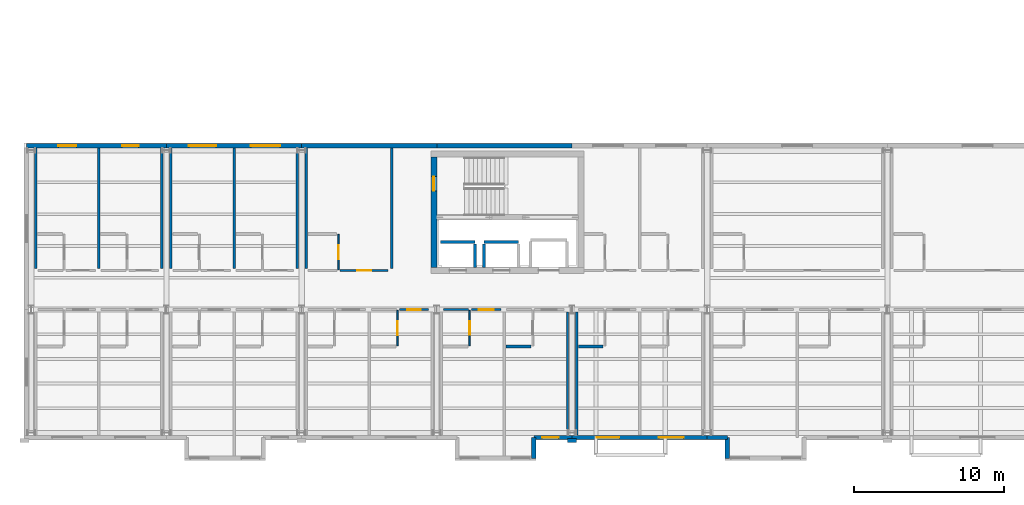
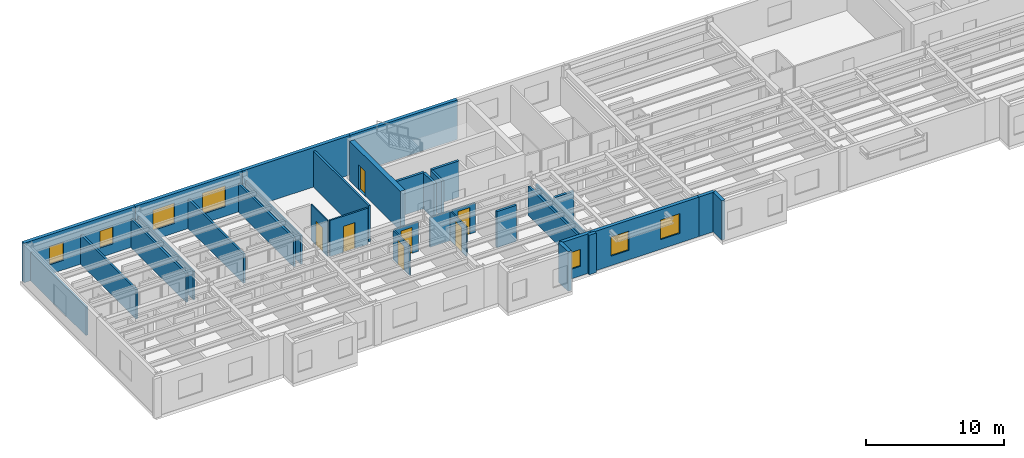
# One storey, part 9 of 17: 34 walls, 7 doors, 7 windows, 14 openings.
"""IFC4 building model written with IfcOpenShell, lengths in metres."""

from ifc_helpers import new_model, si_unit, direction, frame, frame_2d, origin, place, context, subcontext, project, spatial, rectangle, extrude, material, layer, layer_set, type_object, element, fill, save


model = new_model("IFC4")

# Units and contexts
model_context = context("Model", 3, precision=1e-05, world=origin(), true_north=direction((0.0, 1.0)))
body_context = subcontext(model_context, "Body", "Model", "MODEL_VIEW")
ifc_project = project(units=[si_unit("LENGTHUNIT", "METRE"), si_unit("AREAUNIT", "SQUARE_METRE"), si_unit("VOLUMEUNIT", "CUBIC_METRE"), si_unit("PLANEANGLEUNIT", "RADIAN"), si_unit("MASSUNIT", "GRAM", prefix="KILO")], contexts=[model_context])

# Site, building, storey
site_placement = place(None, origin())
site = spatial("IfcSite", under=ifc_project, at=site_placement, CompositionType="ELEMENT")
building_placement = place(site_placement, origin())
building = spatial("IfcBuilding", under=site, at=building_placement, Name="Sollismere Congress Hotel", CompositionType="ELEMENT")
storey_placement = place(building_placement, frame((0.0, 0.0, 37.60009765625)))
storey = spatial("IfcBuildingStorey", under=building, at=storey_placement, Name="L09", CompositionType="ELEMENT", Elevation=37.60009765625)

# Wall, opening, window
ifc_material_1 = material(Name="Colorado Buff Sandstone Rainscreen on Insulated Backup", Category="masonry")
ifc_layer_1 = layer(ifc_material_1, 0.284912109375, Name="Colorado Buff Sandstone Rainscreen on Insulated Backup")
ifc_layer_set_1 = layer_set([ifc_layer_1], Name="Colorado Buff Sandstone Rainscreen on Insulated Backup")
wall_type_1 = type_object("IfcWallType", Name="WL-EXT285", PredefinedType="STANDARD", material=ifc_layer_set_1)
wall_1_placement = place(storey_placement, frame((100.4599609375, -0.31005859375, 0.0), z_axis=(0.0, 0.0, 1.0), x_axis=(1.0, 0.0, 0.0)))
wall_1 = element("IfcWall", 1, at=wall_1_placement, inside=storey, type_object=wall_type_1, Name="Exterior wall EW-L09-886", PredefinedType="STANDARD", context=body_context, shape_type="SweptSolid", body=[
    extrude(rectangle(XDim=2.5400390625, YDim=0.284912109375, at=frame_2d((1.27001953125, 0.0))), origin(), (0.0, 0.0, 1.0), 3.5),
])
opening_1_placement = place(wall_1_placement, frame((0.544921875, 0.0, 0.85009765625)))
opening_1 = element("IfcOpeningElement", 2, at=opening_1_placement, cuts=wall_1, Name="Opening W-L09-638", PredefinedType="OPENING", context=body_context, shape_type="SweptSolid", body=[
    extrude(rectangle(XDim=1.10009765625, YDim=1.5, at=frame_2d((0.550048828125, 0.75))), frame((0.0, 0.15234375, 0.0), z_axis=(0.0, -1.0, 0.0), x_axis=(1.0, 0.0, 0.0)), (0.0, 0.0, 1.0), 0.304931640625),
])
ifc_material_2 = material(Name="Thermally Broken Bronze Aluminum & Low-E Glass", Category="aluminium")
window_type_1 = type_object("IfcWindowType", Name="WN-P110x150", PartitioningType="SINGLE_PANEL", PredefinedType="WINDOW", material=ifc_material_2)
window_1_placement = place(opening_1_placement, origin())
window_1 = element("IfcWindow", 3, at=window_1_placement, inside=storey, type_object=window_type_1, Name="WIN-W-L09-638", OverallHeight=1.5, OverallWidth=1.10009765625, PartitioningType="SINGLE_PANEL", PredefinedType="WINDOW", context=body_context, shape_type="SweptSolid", body=[
    extrude(rectangle(XDim=1.10009765625, YDim=1.5, at=frame_2d((0.550048828125, 0.75))), frame((0.0, 0.030029296875, 0.0), z_axis=(0.0, -1.0, 0.0), x_axis=(1.0, 0.0, 0.0)), (0.0, 0.0, 1.0), 0.06005859375),
])
fill(opening_1, window_1)

# Wall
wall_2_placement = place(storey_placement, frame((100.4599609375, -1.699951171875, 0.0), z_axis=(0.0, 0.0, 1.0), x_axis=(0.0, 1.0, 0.0)))
element("IfcWall", 4, at=wall_2_placement, inside=storey, type_object=wall_type_1, Name="Exterior wall EW-L09-889", PredefinedType="STANDARD", context=body_context, shape_type="SweptSolid", body=[
    extrude(rectangle(XDim=1.389892578125, YDim=0.284912109375, at=frame_2d((0.69482421875, 0.0))), origin(), (0.0, 0.0, 1.0), 3.5),
])

# Wall, openings, windows
wall_3_placement = place(storey_placement, frame((103.0, -0.31005859375, 0.0), z_axis=(0.0, 0.0, 1.0), x_axis=(1.0, 0.0, 0.0)))
wall_3 = element("IfcWall", 5, at=wall_3_placement, inside=storey, type_object=wall_type_1, Name="Exterior wall EW-L09-890", PredefinedType="STANDARD", context=body_context, shape_type="SweptSolid", body=[
    extrude(rectangle(XDim=9.0, YDim=0.284912109375, at=frame_2d((4.5, 0.0))), origin(), (0.0, 0.0, 1.0), 3.5),
])
opening_2_placement = place(wall_3_placement, frame((1.64990234375, 0.0, 0.85009765625)))
opening_2 = element("IfcOpeningElement", 6, at=opening_2_placement, cuts=wall_3, Name="Opening W-L09-641", PredefinedType="OPENING", context=body_context, shape_type="SweptSolid", body=[
    extrude(rectangle(XDim=1.5, YDim=1.699951171875, at=frame_2d((0.75, 0.85009765625))), frame((0.0, 0.15234375, 0.0), z_axis=(0.0, -1.0, 0.0), x_axis=(1.0, 0.0, 0.0)), (0.0, 0.0, 1.0), 0.304931640625),
])
opening_3_placement = place(wall_3_placement, frame((5.77490234375, 0.0, 0.85009765625)))
opening_3 = element("IfcOpeningElement", 7, at=opening_3_placement, cuts=wall_3, Name="Opening W-L09-642", PredefinedType="OPENING", context=body_context, shape_type="SweptSolid", body=[
    extrude(rectangle(XDim=1.64990234375, YDim=1.75, at=frame_2d((0.824951171875, 0.875))), frame((0.0, 0.15234375, 0.0), z_axis=(0.0, -1.0, 0.0), x_axis=(1.0, 0.0, 0.0)), (0.0, 0.0, 1.0), 0.304931640625),
])
window_type_2 = type_object("IfcWindowType", Name="WN-P150x170", PartitioningType="SINGLE_PANEL", PredefinedType="WINDOW", material=ifc_material_2)
window_2_placement = place(opening_2_placement, origin())
window_2 = element("IfcWindow", 8, at=window_2_placement, inside=storey, type_object=window_type_2, Name="WIN-W-L09-641", OverallHeight=1.699951171875, OverallWidth=1.5, PartitioningType="SINGLE_PANEL", PredefinedType="WINDOW", context=body_context, shape_type="SweptSolid", body=[
    extrude(rectangle(XDim=1.5, YDim=1.699951171875, at=frame_2d((0.75, 0.85009765625))), frame((0.0, 0.030029296875, 0.0), z_axis=(0.0, -1.0, 0.0), x_axis=(1.0, 0.0, 0.0)), (0.0, 0.0, 1.0), 0.06005859375),
])
fill(opening_2, window_2)
window_type_3 = type_object("IfcWindowType", Name="WN-P165x175", PartitioningType="SINGLE_PANEL", PredefinedType="WINDOW", material=ifc_material_2)
window_3_placement = place(opening_3_placement, origin())
window_3 = element("IfcWindow", 9, at=window_3_placement, inside=storey, type_object=window_type_3, Name="WIN-W-L09-642", OverallHeight=1.75, OverallWidth=1.64990234375, PartitioningType="SINGLE_PANEL", PredefinedType="WINDOW", context=body_context, shape_type="SweptSolid", body=[
    extrude(rectangle(XDim=1.64990234375, YDim=1.75, at=frame_2d((0.824951171875, 0.875))), frame((0.0, 0.030029296875, 0.0), z_axis=(0.0, -1.0, 0.0), x_axis=(1.0, 0.0, 0.0)), (0.0, 0.0, 1.0), 0.06005859375),
])
fill(opening_3, window_3)

# Walls
wall_4_placement = place(storey_placement, frame((112.0, -0.31005859375, 0.0), z_axis=(0.0, 0.0, 1.0), x_axis=(1.0, 0.0, 0.0)))
element("IfcWall", 10, at=wall_4_placement, inside=storey, type_object=wall_type_1, Name="Exterior wall EW-L09-892", PredefinedType="STANDARD", context=body_context, shape_type="SweptSolid", body=[
    extrude(rectangle(XDim=1.340087890625, YDim=0.284912109375, at=frame_2d((0.669921875, 0.0))), origin(), (0.0, 0.0, 1.0), 3.5),
])
wall_5_placement = place(storey_placement, frame((113.340087890625, -0.31005859375, 0.0), z_axis=(0.0, 0.0, 1.0), x_axis=(0.0, -1.0, 0.0)))
element("IfcWall", 11, at=wall_5_placement, inside=storey, type_object=wall_type_1, Name="Exterior wall EW-L09-895", PredefinedType="STANDARD", context=body_context, shape_type="SweptSolid", body=[
    extrude(rectangle(XDim=1.389892578125, YDim=0.284912109375, at=frame_2d((0.69482421875, 0.0))), origin(), (0.0, 0.0, 1.0), 3.5),
])

# Wall, openings, windows
wall_6_placement = place(storey_placement, frame((76.0, 19.110107421875, 0.0), z_axis=(0.0, 0.0, 1.0), x_axis=(-1.0, 0.0, 0.0)))
wall_6 = element("IfcWall", 12, at=wall_6_placement, inside=storey, type_object=wall_type_1, Name="Exterior wall EW-L09-926", PredefinedType="STANDARD", context=body_context, shape_type="SweptSolid", body=[
    extrude(rectangle(XDim=9.31005859375, YDim=0.284912109375, at=frame_2d((4.655029296875, 0.0))), origin(), (0.0, 0.0, 1.0), 3.5),
])
opening_4_placement = place(wall_6_placement, frame((6.0, 0.0, 0.85009765625)))
opening_4 = element("IfcOpeningElement", 13, at=opening_4_placement, cuts=wall_6, Name="Opening W-L09-660", PredefinedType="OPENING", context=body_context, shape_type="SweptSolid", body=[
    extrude(rectangle(XDim=1.199951171875, YDim=1.60009765625, at=frame_2d((0.60009765625, 0.800048828125))), frame((0.0, 0.15234375, 0.0), z_axis=(0.0, -1.0, 0.0), x_axis=(1.0, 0.0, 0.0)), (0.0, 0.0, 1.0), 0.304931640625),
])
opening_5_placement = place(wall_6_placement, frame((1.85009765625, 0.0, 0.85009765625)))
opening_5 = element("IfcOpeningElement", 14, at=opening_5_placement, cuts=wall_6, Name="Opening W-L09-661", PredefinedType="OPENING", context=body_context, shape_type="SweptSolid", body=[
    extrude(rectangle(XDim=1.10009765625, YDim=1.5, at=frame_2d((0.550048828125, 0.75))), frame((0.0, 0.15234375, 0.0), z_axis=(0.0, -1.0, 0.0), x_axis=(1.0, 0.0, 0.0)), (0.0, 0.0, 1.0), 0.304931640625),
])
window_4_placement = place(opening_5_placement, origin())
window_4 = element("IfcWindow", 15, at=window_4_placement, inside=storey, type_object=window_type_1, Name="WIN-W-L09-661", OverallHeight=1.5, OverallWidth=1.10009765625, PartitioningType="SINGLE_PANEL", PredefinedType="WINDOW", context=body_context, shape_type="SweptSolid", body=[
    extrude(rectangle(XDim=1.10009765625, YDim=1.5, at=frame_2d((0.550048828125, 0.75))), frame((0.0, 0.030029296875, 0.0), z_axis=(0.0, -1.0, 0.0), x_axis=(1.0, 0.0, 0.0)), (0.0, 0.0, 1.0), 0.06005859375),
])
fill(opening_5, window_4)
window_type_4 = type_object("IfcWindowType", Name="WN-P120x160", PartitioningType="SINGLE_PANEL", PredefinedType="WINDOW", material=ifc_material_2)
window_5_placement = place(opening_4_placement, origin())
window_5 = element("IfcWindow", 16, at=window_5_placement, inside=storey, type_object=window_type_4, Name="WIN-W-L09-660", OverallHeight=1.60009765625, OverallWidth=1.199951171875, PartitioningType="SINGLE_PANEL", PredefinedType="WINDOW", context=body_context, shape_type="SweptSolid", body=[
    extrude(rectangle(XDim=1.199951171875, YDim=1.60009765625, at=frame_2d((0.60009765625, 0.800048828125))), frame((0.0, 0.030029296875, 0.0), z_axis=(0.0, -1.0, 0.0), x_axis=(1.0, 0.0, 0.0)), (0.0, 0.0, 1.0), 0.06005859375),
])
fill(opening_4, window_5)

wall_7_placement = place(storey_placement, frame((85.0, 19.110107421875, 0.0), z_axis=(0.0, 0.0, 1.0), x_axis=(-1.0, 0.0, 0.0)))
wall_7 = element("IfcWall", 17, at=wall_7_placement, inside=storey, type_object=wall_type_1, Name="Exterior wall EW-L09-927", PredefinedType="STANDARD", context=body_context, shape_type="SweptSolid", body=[
    extrude(rectangle(XDim=9.0, YDim=0.284912109375, at=frame_2d((4.5, 0.0))), origin(), (0.0, 0.0, 1.0), 3.5),
])
opening_6_placement = place(wall_7_placement, frame((5.699951171875, 0.0, 0.85009765625)))
opening_6 = element("IfcOpeningElement", 18, at=opening_6_placement, cuts=wall_7, Name="Opening W-L09-662", PredefinedType="OPENING", context=body_context, shape_type="SweptSolid", body=[
    extrude(rectangle(XDim=1.800048828125, YDim=1.800048828125, at=frame_2d((0.89990234375, 0.89990234375))), frame((0.0, 0.15234375, 0.0), z_axis=(0.0, -1.0, 0.0), x_axis=(1.0, 0.0, 0.0)), (0.0, 0.0, 1.0), 0.304931640625),
])
opening_7_placement = place(wall_7_placement, frame((1.425048828125, 0.0, 0.85009765625)))
opening_7 = element("IfcOpeningElement", 19, at=opening_7_placement, cuts=wall_7, Name="Opening W-L09-663", PredefinedType="OPENING", context=body_context, shape_type="SweptSolid", body=[
    extrude(rectangle(XDim=1.949951171875, YDim=1.85009765625, at=frame_2d((0.97509765625, 0.925048828125))), frame((0.0, 0.15234375, 0.0), z_axis=(0.0, -1.0, 0.0), x_axis=(1.0, 0.0, 0.0)), (0.0, 0.0, 1.0), 0.304931640625),
])
window_type_5 = type_object("IfcWindowType", Name="WN-P180x180", PartitioningType="SINGLE_PANEL", PredefinedType="WINDOW", material=ifc_material_2)
window_6_placement = place(opening_6_placement, origin())
window_6 = element("IfcWindow", 20, at=window_6_placement, inside=storey, type_object=window_type_5, Name="WIN-W-L09-662", OverallHeight=1.800048828125, OverallWidth=1.800048828125, PartitioningType="SINGLE_PANEL", PredefinedType="WINDOW", context=body_context, shape_type="SweptSolid", body=[
    extrude(rectangle(XDim=1.800048828125, YDim=1.800048828125, at=frame_2d((0.89990234375, 0.89990234375))), frame((0.0, 0.030029296875, 0.0), z_axis=(0.0, -1.0, 0.0), x_axis=(1.0, 0.0, 0.0)), (0.0, 0.0, 1.0), 0.06005859375),
])
fill(opening_6, window_6)
window_type_6 = type_object("IfcWindowType", Name="WN-P195x185", PartitioningType="SINGLE_PANEL", PredefinedType="WINDOW", material=ifc_material_2)
window_7_placement = place(opening_7_placement, origin())
window_7 = element("IfcWindow", 21, at=window_7_placement, inside=storey, type_object=window_type_6, Name="WIN-W-L09-663", OverallHeight=1.85009765625, OverallWidth=1.949951171875, PartitioningType="SINGLE_PANEL", PredefinedType="WINDOW", context=body_context, shape_type="SweptSolid", body=[
    extrude(rectangle(XDim=1.949951171875, YDim=1.85009765625, at=frame_2d((0.97509765625, 0.925048828125))), frame((0.0, 0.030029296875, 0.0), z_axis=(0.0, -1.0, 0.0), x_axis=(1.0, 0.0, 0.0)), (0.0, 0.0, 1.0), 0.06005859375),
])
fill(opening_7, window_7)

# Walls
for number, where, z_axis, x_axis, name in (
    (22, (94.0, 19.110107421875, 0.0), (0.0, 0.0, 1.0), (-1.0, 0.0, 0.0), "Exterior wall EW-L09-928"),
    (23, (103.0, 19.110107421875, 0.0), (0.0, 0.0, 1.0), (-1.0, 0.0, 0.0), "Exterior wall EW-L09-929"),
):
    element("IfcWall", number, at=place(storey_placement, frame(where, z_axis=z_axis, x_axis=x_axis)), inside=storey, type_object=wall_type_1, Name=name, PredefinedType="STANDARD", context=body_context, shape_type="SweptSolid", body=[
        extrude(rectangle(XDim=9.0, YDim=0.284912109375, at=frame_2d((4.5, 0.0))), origin(), (0.0, 0.0, 1.0), 3.5),
    ])
ifc_material_3 = material(Name="Carved Travertine Pilaster & Frieze Assembly", Category="masonry")
ifc_layer_2 = layer(ifc_material_3, 0.260009765625, Name="Carved Travertine Pilaster & Frieze Assembly")
ifc_layer_set_2 = layer_set([ifc_layer_2], Name="Carved Travertine Pilaster & Frieze Assembly")
wall_type_2 = type_object("IfcWallType", Name="WL-PIL280", PredefinedType="ELEMENTEDWALL", material=ifc_layer_set_2)
wall_8_placement = place(storey_placement, frame((102.699951171875, -0.52001953125, 0.0), z_axis=(0.0, 0.0, 1.0), x_axis=(1.0, 0.0, 0.0)))
element("IfcWall", 24, at=wall_8_placement, inside=storey, type_object=wall_type_2, Name="Exterior wall EW-L09-891", PredefinedType="ELEMENTEDWALL", context=body_context, shape_type="SweptSolid", body=[
    extrude(rectangle(XDim=0.60009765625, YDim=0.260009765625, at=frame_2d((0.300048828125, 0.0))), origin(), (0.0, 0.0, 1.0), 3.5),
])
ifc_material_4 = material(Name="Moisture-Resistant Shaft Gypsum Assembly")
ifc_layer_3 = layer(ifc_material_4, 0.199951171875, Name="Moisture-Resistant Shaft Gypsum Assembly")
ifc_layer_set_3 = layer_set([ifc_layer_3], Name="Moisture-Resistant Shaft Gypsum Assembly")
wall_type_3 = type_object("IfcWallType", Name="WL-PLM200", PredefinedType="PLUMBINGWALL", material=ifc_layer_set_3)
wall_9_placement = place(storey_placement, frame((94.2548828125, 12.68994140625, 0.0), z_axis=(0.0, 0.0, 1.0), x_axis=(1.0, 0.0, 0.0)))
element("IfcWall", 25, at=wall_9_placement, inside=storey, type_object=wall_type_3, Name="Interior wall IW-L09-0344", PredefinedType="PLUMBINGWALL", context=body_context, shape_type="SweptSolid", body=[
    extrude(rectangle(XDim=2.2900390625, YDim=0.199951171875, at=frame_2d((1.14501953125, 0.0))), origin(), (0.0, 0.0, 1.0), 3.199951171875),
])
wall_10_placement = place(storey_placement, frame((96.544921875, 11.011962890625, 0.0), z_axis=(0.0, 0.0, 1.0), x_axis=(0.0, 1.0, 0.0)))
element("IfcWall", 26, at=wall_10_placement, inside=storey, type_object=wall_type_3, Name="Interior wall IW-L09-0345", PredefinedType="PLUMBINGWALL", context=body_context, shape_type="SweptSolid", body=[
    extrude(rectangle(XDim=1.56591796875, YDim=0.199951171875, at=frame_2d((0.782958984375, 0.0))), origin(), (0.0, 0.0, 1.0), 3.199951171875),
])
wall_11_placement = place(storey_placement, frame((97.155029296875, 12.68994140625, 0.0), z_axis=(0.0, 0.0, 1.0), x_axis=(1.0, 0.0, 0.0)))
element("IfcWall", 27, at=wall_11_placement, inside=storey, type_object=wall_type_3, Name="Interior wall IW-L09-0346", PredefinedType="PLUMBINGWALL", context=body_context, shape_type="SweptSolid", body=[
    extrude(rectangle(XDim=2.2900390625, YDim=0.199951171875, at=frame_2d((1.14501953125, 0.0))), origin(), (0.0, 0.0, 1.0), 3.199951171875),
])
wall_12_placement = place(storey_placement, frame((97.155029296875, 11.011962890625, 0.0), z_axis=(0.0, 0.0, 1.0), x_axis=(0.0, 1.0, 0.0)))
element("IfcWall", 28, at=wall_12_placement, inside=storey, type_object=wall_type_3, Name="Interior wall IW-L09-0347", PredefinedType="PLUMBINGWALL", context=body_context, shape_type="SweptSolid", body=[
    extrude(rectangle(XDim=1.56591796875, YDim=0.199951171875, at=frame_2d((0.782958984375, 0.0))), origin(), (0.0, 0.0, 1.0), 3.199951171875),
])
wall_13_placement = place(storey_placement, frame((98.6201171875, 5.75, 0.0), z_axis=(0.0, 0.0, 1.0), x_axis=(1.0, 0.0, 0.0)))
element("IfcWall", 29, at=wall_13_placement, inside=storey, type_object=wall_type_3, Name="Interior wall IW-L09-2631", PredefinedType="PLUMBINGWALL", context=body_context, shape_type="SweptSolid", body=[
    extrude(rectangle(XDim=1.64990234375, YDim=0.199951171875, at=frame_2d((0.824951171875, 0.0))), origin(), (0.0, 0.0, 1.0), 3.199951171875),
])
wall_14_placement = place(storey_placement, frame((103.419921875, 5.75, 0.0), z_axis=(0.0, 0.0, 1.0), x_axis=(1.0, 0.0, 0.0)))
element("IfcWall", 30, at=wall_14_placement, inside=storey, type_object=wall_type_3, Name="Interior wall IW-L09-2637", PredefinedType="PLUMBINGWALL", context=body_context, shape_type="SweptSolid", body=[
    extrude(rectangle(XDim=1.650146484375, YDim=0.199951171875, at=frame_2d((0.8251953125, 0.0))), origin(), (0.0, 0.0, 1.0), 2.7529296875),
])

# Wall, opening, door
ifc_material_5 = material(Name="Moisture-Resistant Gypsum Partition")
ifc_layer_4 = layer(ifc_material_5, 0.10009765625, Name="Moisture-Resistant Gypsum Partition")
ifc_layer_set_4 = layer_set([ifc_layer_4], Name="Moisture-Resistant Gypsum Partition")
wall_type_4 = type_object("IfcWallType", Name="WL-PRT100", PredefinedType="PARTITIONING", material=ifc_layer_set_4)
wall_15_placement = place(storey_placement, frame((91.389892578125, 5.7900390625, 0.0), z_axis=(0.0, 0.0, 1.0), x_axis=(0.0, 1.0, 0.0)))
wall_15 = element("IfcWall", 31, at=wall_15_placement, inside=storey, type_object=wall_type_4, Name="Interior wall IW-L09-2613", PredefinedType="PARTITIONING", context=body_context, shape_type="SweptSolid", body=[
    extrude(rectangle(XDim=2.369873046875, YDim=0.10009765625, at=frame_2d((1.18505859375, 0.0))), origin(), (0.0, 0.0, 1.0), 2.61279296875),
])
opening_8_placement = place(wall_15_placement, frame((0.719970703125, 0.0, 0.0)))
opening_8 = element("IfcOpeningElement", 32, at=opening_8_placement, cuts=wall_15, Name="Opening D-L09-0923", PredefinedType="OPENING", context=body_context, shape_type="SweptSolid", body=[
    extrude(rectangle(XDim=0.929931640625, YDim=2.139892578125, at=frame_2d((0.46484375, 1.06982421875))), frame((0.0, 0.06005859375, 0.0), z_axis=(0.0, -1.0, 0.0), x_axis=(1.0, 0.0, 0.0)), (0.0, 0.0, 1.0), 0.1201171875),
])
ifc_material_6 = material(Name="Moisture-Sealed Timber Bathroom Door", Category="wood")
door_type_1 = type_object("IfcDoorType", Name="DR-BT03", OperationType="NOTDEFINED", PredefinedType="DOOR", material=ifc_material_6)
door_1_placement = place(opening_8_placement, origin())
door_1 = element("IfcDoor", 33, at=door_1_placement, inside=storey, type_object=door_type_1, Name="En-suite bathroom door D-L09-0923", OperationType="SINGLE_SWING_RIGHT", OverallHeight=2.139892578125, OverallWidth=0.929931640625, PredefinedType="DOOR", context=body_context, shape_type="SweptSolid", body=[
    extrude(rectangle(XDim=0.929931640625, YDim=2.139892578125, at=frame_2d((0.46484375, 1.06982421875))), frame((0.0, 0.02490234375, 0.0), z_axis=(0.0, -1.0, 0.0), x_axis=(1.0, 0.0, 0.0)), (0.0, 0.0, 1.0), 0.050048828125),
])
fill(opening_8, door_1)

wall_16_placement = place(storey_placement, frame((87.449951171875, 10.840087890625, 0.0), z_axis=(0.0, 0.0, 1.0), x_axis=(0.0, 1.0, 0.0)))
wall_16 = element("IfcWall", 34, at=wall_16_placement, inside=storey, type_object=wall_type_4, Name="Interior wall IW-L09-2619", PredefinedType="PARTITIONING", context=body_context, shape_type="SweptSolid", body=[
    extrude(rectangle(XDim=2.369873046875, YDim=0.10009765625, at=frame_2d((1.18505859375, 0.0))), origin(), (0.0, 0.0, 1.0), 3.199951171875),
])
opening_9_placement = place(wall_16_placement, frame((0.7080078125, 0.0, 0.0)))
opening_9 = element("IfcOpeningElement", 35, at=opening_9_placement, cuts=wall_16, Name="Opening D-L09-0925", PredefinedType="OPENING", context=body_context, shape_type="SweptSolid", body=[
    extrude(rectangle(XDim=0.955078125, YDim=2.139892578125, at=frame_2d((0.4775390625, 1.06982421875))), frame((0.0, 0.06005859375, 0.0), z_axis=(0.0, -1.0, 0.0), x_axis=(1.0, 0.0, 0.0)), (0.0, 0.0, 1.0), 0.1201171875),
])
door_type_2 = type_object("IfcDoorType", Name="DR-BT04", OperationType="NOTDEFINED", PredefinedType="DOOR", material=ifc_material_6)
door_2_placement = place(opening_9_placement, origin())
door_2 = element("IfcDoor", 36, at=door_2_placement, inside=storey, type_object=door_type_2, Name="En-suite bathroom door D-L09-0925", OperationType="SINGLE_SWING_RIGHT", OverallHeight=2.139892578125, OverallWidth=0.955078125, PredefinedType="DOOR", context=body_context, shape_type="SweptSolid", body=[
    extrude(rectangle(XDim=0.955078125, YDim=2.139892578125, at=frame_2d((0.4775390625, 1.06982421875))), frame((0.0, 0.02490234375, 0.0), z_axis=(0.0, -1.0, 0.0), x_axis=(1.0, 0.0, 0.0)), (0.0, 0.0, 1.0), 0.050048828125),
])
fill(opening_9, door_2)

wall_17_placement = place(storey_placement, frame((96.18994140625, 5.7900390625, 0.0), z_axis=(0.0, 0.0, 1.0), x_axis=(0.0, 1.0, 0.0)))
wall_17 = element("IfcWall", 37, at=wall_17_placement, inside=storey, type_object=wall_type_4, Name="Interior wall IW-L09-2625", PredefinedType="PARTITIONING", context=body_context, shape_type="SweptSolid", body=[
    extrude(rectangle(XDim=2.369873046875, YDim=0.10009765625, at=frame_2d((1.18505859375, 0.0))), origin(), (0.0, 0.0, 1.0), 2.61279296875),
])
opening_10_placement = place(wall_17_placement, frame((0.7451171875, 0.0, 0.0)))
opening_10 = element("IfcOpeningElement", 38, at=opening_10_placement, cuts=wall_17, Name="Opening D-L09-0927", PredefinedType="OPENING", context=body_context, shape_type="SweptSolid", body=[
    extrude(rectangle(XDim=0.8798828125, YDim=2.179931640625, at=frame_2d((0.43994140625, 1.08984375))), frame((0.0, 0.06005859375, 0.0), z_axis=(0.0, -1.0, 0.0), x_axis=(1.0, 0.0, 0.0)), (0.0, 0.0, 1.0), 0.1201171875),
])
door_type_3 = type_object("IfcDoorType", Name="DR-BT05", OperationType="NOTDEFINED", PredefinedType="DOOR", material=ifc_material_6)
door_3_placement = place(opening_10_placement, origin())
door_3 = element("IfcDoor", 39, at=door_3_placement, inside=storey, type_object=door_type_3, Name="En-suite bathroom door D-L09-0927", OperationType="SINGLE_SWING_RIGHT", OverallHeight=2.179931640625, OverallWidth=0.8798828125, PredefinedType="DOOR", context=body_context, shape_type="SweptSolid", body=[
    extrude(rectangle(XDim=0.8798828125, YDim=2.179931640625, at=frame_2d((0.43994140625, 1.08984375))), frame((0.0, 0.02490234375, 0.0), z_axis=(0.0, -1.0, 0.0), x_axis=(1.0, 0.0, 0.0)), (0.0, 0.0, 1.0), 0.050048828125),
])
fill(opening_10, door_3)

ifc_material_7 = material(Name="Fire-Rated Gypsum Partition")
ifc_layer_5 = layer(ifc_material_7, 0.139892578125, Name="Fire-Rated Gypsum Partition")
ifc_layer_set_5 = layer_set([ifc_layer_5], Name="Fire-Rated Gypsum Partition")
wall_type_5 = type_object("IfcWallType", Name="WL-PRT140R", PredefinedType="PARTITIONING", material=ifc_layer_set_5)
wall_18_placement = place(storey_placement, frame((91.510009765625, 8.199951171875, 0.0), z_axis=(0.0, 0.0, 1.0), x_axis=(1.0, 0.0, 0.0)))
wall_18 = element("IfcWall", 40, at=wall_18_placement, inside=storey, type_object=wall_type_5, Name="Interior wall IW-L09-2611", PredefinedType="PARTITIONING", context=body_context, shape_type="SweptSolid", body=[
    extrude(rectangle(XDim=1.949951171875, YDim=0.139892578125, at=frame_2d((0.97509765625, 0.0))), origin(), (0.0, 0.0, 1.0), 2.61279296875),
])
opening_11_placement = place(wall_18_placement, frame((0.514892578125, 0.0, 0.0)))
opening_11 = element("IfcOpeningElement", 41, at=opening_11_placement, cuts=wall_18, Name="Opening D-L09-0922", PredefinedType="OPENING", context=body_context, shape_type="SweptSolid", body=[
    extrude(rectangle(XDim=0.919921875, YDim=2.300048828125, at=frame_2d((0.4599609375, 1.14990234375))), frame((0.0, 0.079833984375, 0.0), z_axis=(0.0, -1.0, 0.0), x_axis=(1.0, 0.0, 0.0)), (0.0, 0.0, 1.0), 0.159912109375),
])
ifc_material_8 = material(Name="Solid-Core Acoustic Walnut Guestroom Entry Door")
door_type_4 = type_object("IfcDoorType", Name="DR-KY07", OperationType="NOTDEFINED", PredefinedType="DOOR", material=ifc_material_8)
door_4_placement = place(opening_11_placement, origin())
door_4 = element("IfcDoor", 42, at=door_4_placement, inside=storey, type_object=door_type_4, Name="Hotel room entry door D-L09-0922", OperationType="SINGLE_SWING_LEFT", OverallHeight=2.300048828125, OverallWidth=0.919921875, PredefinedType="DOOR", context=body_context, shape_type="SweptSolid", body=[
    extrude(rectangle(XDim=0.919921875, YDim=2.300048828125, at=frame_2d((0.4599609375, 1.14990234375))), frame((0.0, 0.02490234375, 0.0), z_axis=(0.0, -1.0, 0.0), x_axis=(1.0, 0.0, 0.0)), (0.0, 0.0, 1.0), 0.050048828125),
])
fill(opening_11, door_4)

wall_19_placement = place(storey_placement, frame((87.570068359375, 10.800048828125, 0.0), z_axis=(0.0, 0.0, 1.0), x_axis=(1.0, 0.0, 0.0)))
wall_19 = element("IfcWall", 43, at=wall_19_placement, inside=storey, type_object=wall_type_5, Name="Interior wall IW-L09-2616", PredefinedType="PARTITIONING", context=body_context, shape_type="SweptSolid", body=[
    extrude(rectangle(XDim=3.18994140625, YDim=0.139892578125, at=frame_2d((1.594970703125, 0.0))), origin(), (0.0, 0.0, 1.0), 3.199951171875),
])
opening_12_placement = place(wall_19_placement, frame((1.1201171875, 0.0, 0.0)))
opening_12 = element("IfcOpeningElement", 44, at=opening_12_placement, cuts=wall_19, Name="Opening D-L09-0924", PredefinedType="OPENING", context=body_context, shape_type="SweptSolid", body=[
    extrude(rectangle(XDim=0.949951171875, YDim=2.300048828125, at=frame_2d((0.47509765625, 1.14990234375))), frame((0.0, 0.079833984375, 0.0), z_axis=(0.0, -1.0, 0.0), x_axis=(1.0, 0.0, 0.0)), (0.0, 0.0, 1.0), 0.159912109375),
])
door_type_5 = type_object("IfcDoorType", Name="DR-KY08", OperationType="NOTDEFINED", PredefinedType="DOOR", material=ifc_material_8)
door_5_placement = place(opening_12_placement, origin())
door_5 = element("IfcDoor", 45, at=door_5_placement, inside=storey, type_object=door_type_5, Name="Hotel room entry door D-L09-0924", OperationType="SINGLE_SWING_LEFT", OverallHeight=2.300048828125, OverallWidth=0.949951171875, PredefinedType="DOOR", context=body_context, shape_type="SweptSolid", body=[
    extrude(rectangle(XDim=0.949951171875, YDim=2.300048828125, at=frame_2d((0.47509765625, 1.14990234375))), frame((0.0, 0.02490234375, 0.0), z_axis=(0.0, -1.0, 0.0), x_axis=(1.0, 0.0, 0.0)), (0.0, 0.0, 1.0), 0.050048828125),
])
fill(opening_12, door_5)

# Wall
wall_20_placement = place(storey_placement, frame((94.43994140625, 8.199951171875, 0.0), z_axis=(0.0, 0.0, 1.0), x_axis=(1.0, 0.0, 0.0)))
element("IfcWall", 46, at=wall_20_placement, inside=storey, type_object=wall_type_5, Name="Interior wall IW-L09-2621", PredefinedType="PARTITIONING", context=body_context, shape_type="SweptSolid", body=[
    extrude(rectangle(XDim=1.670166015625, YDim=0.139892578125, at=frame_2d((0.8349609375, 0.0))), origin(), (0.0, 0.0, 1.0), 2.61279296875),
])

# Wall, opening, door
wall_21_placement = place(storey_placement, frame((96.31005859375, 8.199951171875, 0.0), z_axis=(0.0, 0.0, 1.0), x_axis=(1.0, 0.0, 0.0)))
wall_21 = element("IfcWall", 47, at=wall_21_placement, inside=storey, type_object=wall_type_5, Name="Interior wall IW-L09-2622", PredefinedType="PARTITIONING", context=body_context, shape_type="SweptSolid", body=[
    extrude(rectangle(XDim=1.949951171875, YDim=0.139892578125, at=frame_2d((0.97509765625, 0.0))), origin(), (0.0, 0.0, 1.0), 2.61279296875),
])
opening_13_placement = place(wall_21_placement, frame((0.485107421875, 0.0, 0.0)))
opening_13 = element("IfcOpeningElement", 48, at=opening_13_placement, cuts=wall_21, Name="Opening D-L09-0926", PredefinedType="OPENING", context=body_context, shape_type="SweptSolid", body=[
    extrude(rectangle(XDim=0.97998046875, YDim=2.35009765625, at=frame_2d((0.489990234375, 1.175048828125))), frame((0.0, 0.079833984375, 0.0), z_axis=(0.0, -1.0, 0.0), x_axis=(1.0, 0.0, 0.0)), (0.0, 0.0, 1.0), 0.159912109375),
])
door_type_6 = type_object("IfcDoorType", Name="DR-KY09", OperationType="NOTDEFINED", PredefinedType="DOOR", material=ifc_material_8)
door_6_placement = place(opening_13_placement, origin())
door_6 = element("IfcDoor", 49, at=door_6_placement, inside=storey, type_object=door_type_6, Name="Hotel room entry door D-L09-0926", OperationType="SINGLE_SWING_LEFT", OverallHeight=2.35009765625, OverallWidth=0.97998046875, PredefinedType="DOOR", context=body_context, shape_type="SweptSolid", body=[
    extrude(rectangle(XDim=0.97998046875, YDim=2.35009765625, at=frame_2d((0.489990234375, 1.175048828125))), frame((0.0, 0.02490234375, 0.0), z_axis=(0.0, -1.0, 0.0), x_axis=(1.0, 0.0, 0.0)), (0.0, 0.0, 1.0), 0.050048828125),
])
fill(opening_13, door_6)

# Walls
ifc_material_9 = material(Name="Fire-Rated Acoustic Gypsum Partition")
ifc_layer_6 = layer(ifc_material_9, 0.1650390625, Name="Fire-Rated Acoustic Gypsum Partition")
ifc_layer_set_6 = layer_set([ifc_layer_6], Name="Fire-Rated Acoustic Gypsum Partition")
wall_type_6 = type_object("IfcWallType", Name="WL-PRT165R", PredefinedType="PARTITIONING", material=ifc_layer_set_6)
wall_22_placement = place(storey_placement, frame((67.300048828125, 10.93994140625, 0.0), z_axis=(0.0, 0.0, 1.0), x_axis=(0.0, 1.0, 0.0)))
element("IfcWall", 50, at=wall_22_placement, inside=storey, type_object=wall_type_6, Name="Interior wall IW-L09-2573", PredefinedType="PARTITIONING", context=body_context, shape_type="SweptSolid", body=[
    extrude(rectangle(XDim=8.012451171875, YDim=0.1650390625, at=frame_2d((4.00634765625, 0.0))), origin(), (0.0, 0.0, 1.0), 2.52880859375),
])
wall_23_placement = place(storey_placement, frame((71.5, 10.93994140625, 0.0), z_axis=(0.0, 0.0, 1.0), x_axis=(0.0, 1.0, 0.0)))
element("IfcWall", 51, at=wall_23_placement, inside=storey, type_object=wall_type_6, Name="Interior wall IW-L09-2574", PredefinedType="PARTITIONING", context=body_context, shape_type="SweptSolid", body=[
    extrude(rectangle(XDim=8.012451171875, YDim=0.1650390625, at=frame_2d((4.00634765625, 0.0))), origin(), (0.0, 0.0, 1.0), 2.61279296875),
])
for number, where, z_axis, x_axis, name in (
    (52, (75.699951171875, 10.93994140625, 0.0), (0.0, 0.0, 1.0), (0.0, 1.0, 0.0), "Interior wall IW-L09-2579"),
    (53, (76.300048828125, 10.93994140625, 0.0), (0.0, 0.0, 1.0), (0.0, 1.0, 0.0), "Interior wall IW-L09-2595"),
):
    element("IfcWall", number, at=place(storey_placement, frame(where, z_axis=z_axis, x_axis=x_axis)), inside=storey, type_object=wall_type_6, Name=name, PredefinedType="PARTITIONING", context=body_context, shape_type="SweptSolid", body=[
        extrude(rectangle(XDim=8.012451171875, YDim=0.1650390625, at=frame_2d((4.00634765625, 0.0))), origin(), (0.0, 0.0, 1.0), 2.52880859375),
    ])
wall_24_placement = place(storey_placement, frame((80.5, 10.93994140625, 0.0), z_axis=(0.0, 0.0, 1.0), x_axis=(0.0, 1.0, 0.0)))
element("IfcWall", 54, at=wall_24_placement, inside=storey, type_object=wall_type_6, Name="Interior wall IW-L09-2596", PredefinedType="PARTITIONING", context=body_context, shape_type="SweptSolid", body=[
    extrude(rectangle(XDim=8.012451171875, YDim=0.1650390625, at=frame_2d((4.00634765625, 0.0))), origin(), (0.0, 0.0, 1.0), 2.61279296875),
])
for number, where, z_axis, x_axis, name in (
    (55, (84.699951171875, 10.93994140625, 0.0), (0.0, 0.0, 1.0), (0.0, 1.0, 0.0), "Interior wall IW-L09-2601"),
    (56, (85.300048828125, 10.93994140625, 0.0), (0.0, 0.0, 1.0), (0.0, 1.0, 0.0), "Interior wall IW-L09-2617"),
):
    element("IfcWall", number, at=place(storey_placement, frame(where, z_axis=z_axis, x_axis=x_axis)), inside=storey, type_object=wall_type_6, Name=name, PredefinedType="PARTITIONING", context=body_context, shape_type="SweptSolid", body=[
        extrude(rectangle(XDim=8.012451171875, YDim=0.1650390625, at=frame_2d((4.00634765625, 0.0))), origin(), (0.0, 0.0, 1.0), 2.52880859375),
    ])
wall_25_placement = place(storey_placement, frame((91.0, 10.93994140625, 0.0), z_axis=(0.0, 0.0, 1.0), x_axis=(0.0, 1.0, 0.0)))
element("IfcWall", 57, at=wall_25_placement, inside=storey, type_object=wall_type_6, Name="Interior wall IW-L09-2618", PredefinedType="PARTITIONING", context=body_context, shape_type="SweptSolid", body=[
    extrude(rectangle(XDim=8.012451171875, YDim=0.1650390625, at=frame_2d((4.00634765625, 0.0))), origin(), (0.0, 0.0, 1.0), 3.199951171875),
])
for number, where, z_axis, x_axis, name in (
    (58, (102.699951171875, -0.152587890625, 0.0), (0.0, 0.0, 1.0), (0.0, 1.0, 0.0), "Interior wall IW-L09-2629"),
    (59, (103.300048828125, -0.152587890625, 0.0), (0.0, 0.0, 1.0), (0.0, 1.0, 0.0), "Interior wall IW-L09-2634"),
):
    element("IfcWall", number, at=place(storey_placement, frame(where, z_axis=z_axis, x_axis=x_axis)), inside=storey, type_object=wall_type_6, Name=name, PredefinedType="PARTITIONING", context=body_context, shape_type="SweptSolid", body=[
        extrude(rectangle(XDim=8.212646484375, YDim=0.1650390625, at=frame_2d((4.1064453125, 0.0))), origin(), (0.0, 0.0, 1.0), 2.58984375),
    ])

# Wall, opening, door
ifc_material_10 = material(Name="Concrete C50/60", Category="concrete")
ifc_layer_7 = layer(ifc_material_10, 0.39990234375, Name="Concrete C50/60")
ifc_layer_set_7 = layer_set([ifc_layer_7], Name="Concrete C50/60")
wall_type_7 = type_object("IfcWallType", Name="WL-SHR400", PredefinedType="SHEAR", material=ifc_layer_set_7)
wall_26_placement = place(storey_placement, frame((93.800048828125, 18.35009765625, 0.0), z_axis=(0.0, 0.0, 1.0), x_axis=(0.0, -1.0, 0.0)))
wall_26 = element("IfcWall", 60, at=wall_26_placement, inside=storey, type_object=wall_type_7, Name="Interior wall IW-L09-0341", PredefinedType="SHEAR", context=body_context, shape_type="SweptSolid", body=[
    extrude(rectangle(XDim=7.35009765625, YDim=0.39990234375, at=frame_2d((3.675048828125, 0.0))), origin(), (0.0, 0.0, 1.0), 3.5),
])
opening_14_placement = place(wall_26_placement, frame((1.300048828125, 0.0, 0.0)))
opening_14 = element("IfcOpeningElement", 61, at=opening_14_placement, cuts=wall_26, Name="Opening D-ST-02-L09", PredefinedType="OPENING", context=body_context, shape_type="SweptSolid", body=[
    extrude(rectangle(XDim=0.949951171875, YDim=2.199951171875, at=frame_2d((0.47509765625, 1.10009765625))), frame((0.0, 0.2099609375, 0.0), z_axis=(0.0, -1.0, 0.0), x_axis=(1.0, 0.0, 0.0)), (0.0, 0.0, 1.0), 0.419921875),
])
ifc_material_11 = material(Name="Fire-Rated Insulated Steel Door", Category="steel")
door_type_7 = type_object("IfcDoorType", Name="DR-FD90", OperationType="NOTDEFINED", PredefinedType="DOOR", material=ifc_material_11)
door_7_placement = place(opening_14_placement, origin())
door_7 = element("IfcDoor", 62, at=door_7_placement, inside=storey, type_object=door_type_7, Name="Exit stair fire door D-ST-02-L09", OperationType="SINGLE_SWING_RIGHT", OverallHeight=2.199951171875, OverallWidth=0.949951171875, PredefinedType="DOOR", context=body_context, shape_type="SweptSolid", body=[
    extrude(rectangle(XDim=0.949951171875, YDim=2.199951171875, at=frame_2d((0.47509765625, 1.10009765625))), frame((0.0, 0.02490234375, 0.0), z_axis=(0.0, -1.0, 0.0), x_axis=(1.0, 0.0, 0.0)), (0.0, 0.0, 1.0), 0.050048828125),
])
fill(opening_14, door_7)

save(model, "model.ifc")
